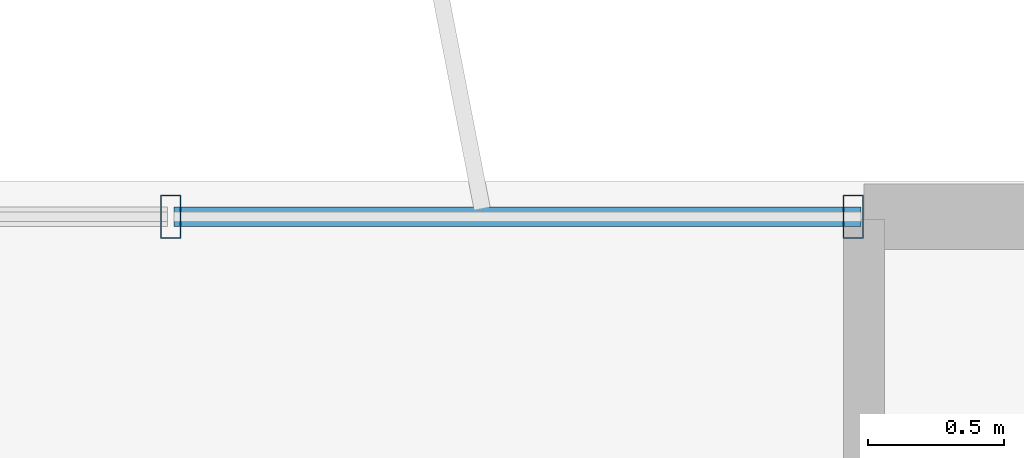
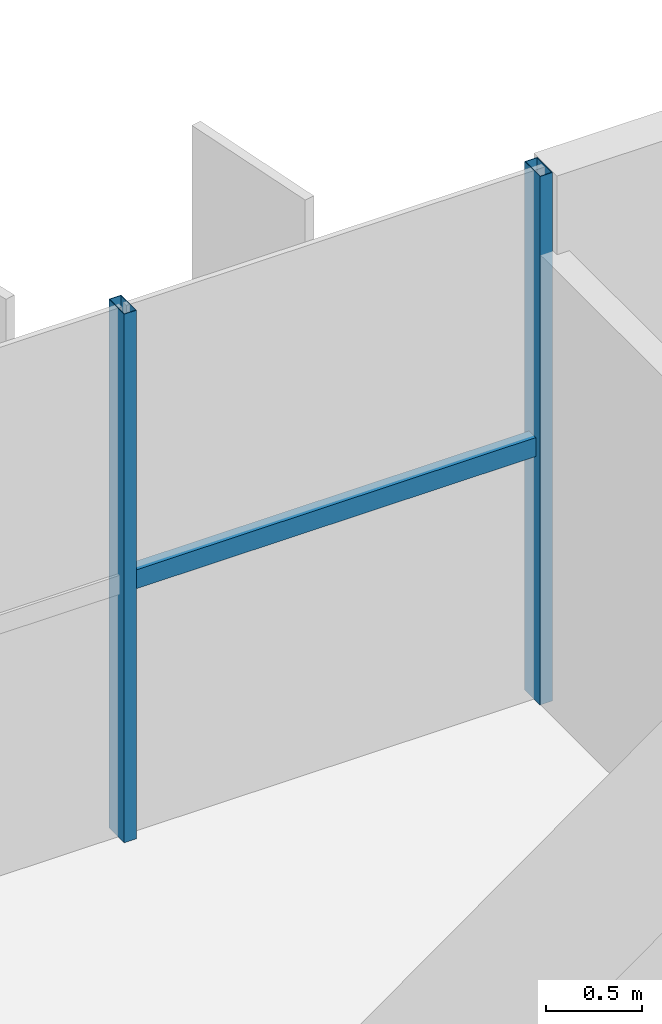
# One storey, part 14 of 23: 3 members, 1 element without a shape of its own.
"""IFC4 building model written with IfcOpenShell, lengths in metres."""

from ifc_helpers import new_model, si_unit, direction, frame, origin, origin_2d, place, context, subcontext, project, spatial, hollow_rectangle, extrude, source, transform, mapped, material, material_profile, profile_set, type_object, element, aggregate, save


model = new_model("IFC4")

# Units and contexts
model_context = context("Model", 3, precision=1e-05, world=origin(), true_north=direction((0.0, 1.0)))
body_context = subcontext(model_context, "Body", "Model", "MODEL_VIEW")
ifc_project = project(units=[si_unit("LENGTHUNIT", "METRE"), si_unit("AREAUNIT", "SQUARE_METRE"), si_unit("VOLUMEUNIT", "CUBIC_METRE"), si_unit("PLANEANGLEUNIT", "RADIAN"), si_unit("MASSUNIT", "GRAM", prefix="KILO")], contexts=[model_context])

# Site, building, storey
site_placement = place(None, origin())
site = spatial("IfcSite", under=ifc_project, at=site_placement, CompositionType="ELEMENT")
building_placement = place(site_placement, origin())
building = spatial("IfcBuilding", under=site, at=building_placement, Name="Trelvane Seafront Commons", CompositionType="ELEMENT")
storey_placement = place(building_placement, frame((0.0, 0.0, 222.89990234375)))
storey = spatial("IfcBuildingStorey", under=building, at=storey_placement, Name="L58", CompositionType="ELEMENT", Elevation=222.89990234375)

# Curtain wall, members
ifc_material = material(Name="Anodised pale-silver aluminium", Category="aluminium")
curtain_wall_type = type_object("IfcCurtainWallType", Name="ARCH-CW5-UPTOWER", PredefinedType="NOTDEFINED", material=ifc_material)
curtain_wall_placement = place(storey_placement, origin())
curtain_wall = element("IfcCurtainWall", 1, at=curtain_wall_placement, inside=storey, type_object=curtain_wall_type, Name="CW-L58-0101", PredefinedType="NOTDEFINED")
ifc_material_profile_1 = material_profile(ifc_material, hollow_rectangle(XDim=0.070068359375, YDim=0.1201171875, WallThickness=0.00390625, at=origin_2d()), Name="TRAN-70x120x4")
ifc_profile_set_1 = profile_set([ifc_material_profile_1], Name="Anodised pale-silver aluminium")
member_type_1 = type_object("IfcMemberType", Name="ARCH-CW-TRAN-120", PredefinedType="USERDEFINED", material=ifc_profile_set_1)
shared_shape_1 = source(origin(), body_context, "Body", "SweptSolid", [
    extrude(hollow_rectangle(XDim=0.070068359375, YDim=0.1201171875, WallThickness=0.00390625, at=origin_2d()), origin(), (0.0, 0.0, 1.0), 2.517333984375),
])
member_1_placement = place(storey_placement, frame((56.270751953125, 48.3701171875, 1.613037109375), z_axis=(1.0, 0.0, 0.0), x_axis=(0.0, 1.0, 0.0)))
member_1 = element("IfcMember", 2, at=member_1_placement, type_object=member_type_1, Name="CW-L58-0101-T16", ObjectType="TRANSOM", PredefinedType="USERDEFINED", context=body_context, shape_type="MappedRepresentation", body=[
    mapped(shared_shape_1, transform((0.0, 0.0, 0.0), x_axis=(1.0, 0.0, 0.0), y_axis=(0.0, 1.0, 0.0), z_axis=(0.0, 0.0, 1.0), scale=1.0)),
])
ifc_material_profile_2 = material_profile(ifc_material, hollow_rectangle(XDim=0.074951171875, YDim=0.159912109375, WallThickness=0.00390625, at=origin_2d()), Name="MULL-75x160x4")
ifc_profile_set_2 = profile_set([ifc_material_profile_2], Name="Anodised pale-silver aluminium")
member_type_2 = type_object("IfcMemberType", Name="ARCH-CW-MULL-160", PredefinedType="MULLION", material=ifc_profile_set_2)
shared_shape_2 = source(origin(), body_context, "Body", "SweptSolid", [
    extrude(hollow_rectangle(XDim=0.074951171875, YDim=0.159912109375, WallThickness=0.00390625, at=origin_2d()), origin(), (0.0, 0.0, 1.0), 3.360107421875),
])
member_2_placement = place(storey_placement, frame((56.2587890625, 48.3701171875, 0.0), z_axis=(0.0, 0.0, 1.0), x_axis=(1.0, 0.0, 0.0)))
member_2 = element("IfcMember", 3, at=member_2_placement, type_object=member_type_2, Name="CW-L58-0101-M16", PredefinedType="MULLION", context=body_context, shape_type="MappedRepresentation", body=[
    mapped(shared_shape_2, transform((0.0, 0.0, 0.0), x_axis=(1.0, 0.0, 0.0), y_axis=(0.0, 1.0, 0.0), z_axis=(0.0, 0.0, 1.0), scale=1.0)),
])
member_3_placement = place(storey_placement, frame((58.760009765625, 48.3701171875, 0.0), z_axis=(0.0, 0.0, 1.0), x_axis=(1.0, 0.0, 0.0)))
member_3 = element("IfcMember", 4, at=member_3_placement, type_object=member_type_2, Name="CW-L58-0101-M17", PredefinedType="MULLION", context=body_context, shape_type="MappedRepresentation", body=[
    mapped(shared_shape_2, transform((0.0, 0.0, 0.0), x_axis=(1.0, 0.0, 0.0), y_axis=(0.0, 1.0, 0.0), z_axis=(0.0, 0.0, 1.0), scale=1.0)),
])
aggregate(curtain_wall, [member_2, member_3, member_1])

save(model, "model.ifc")
